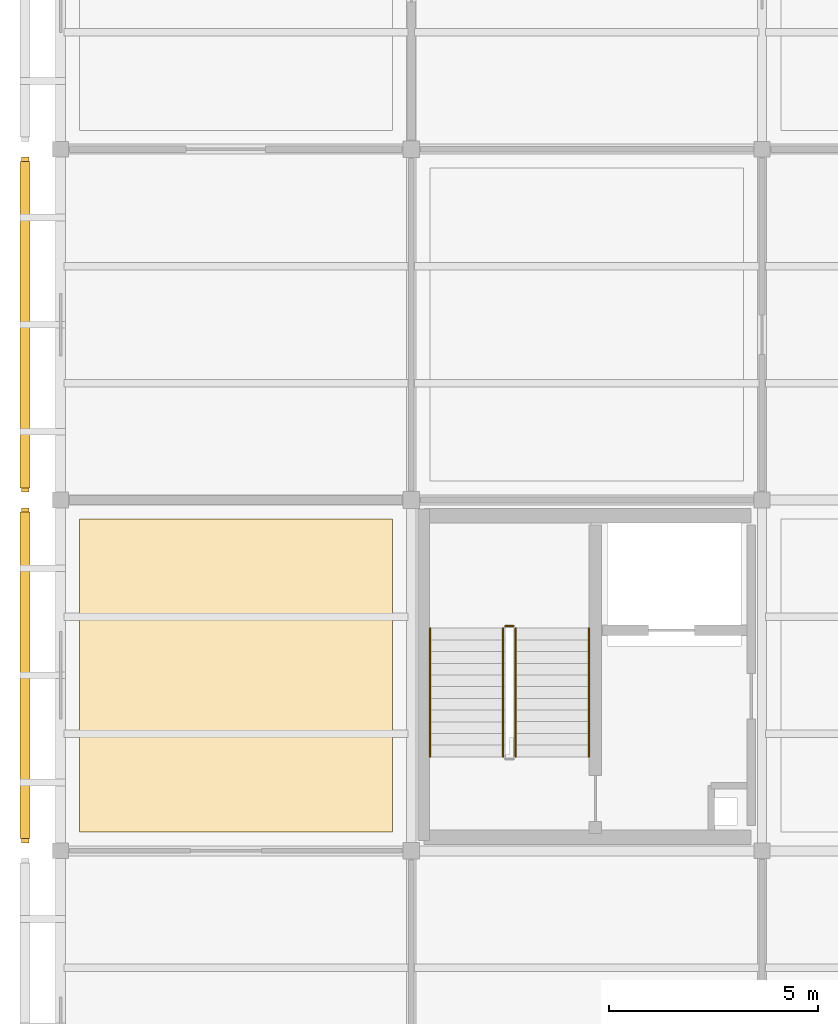
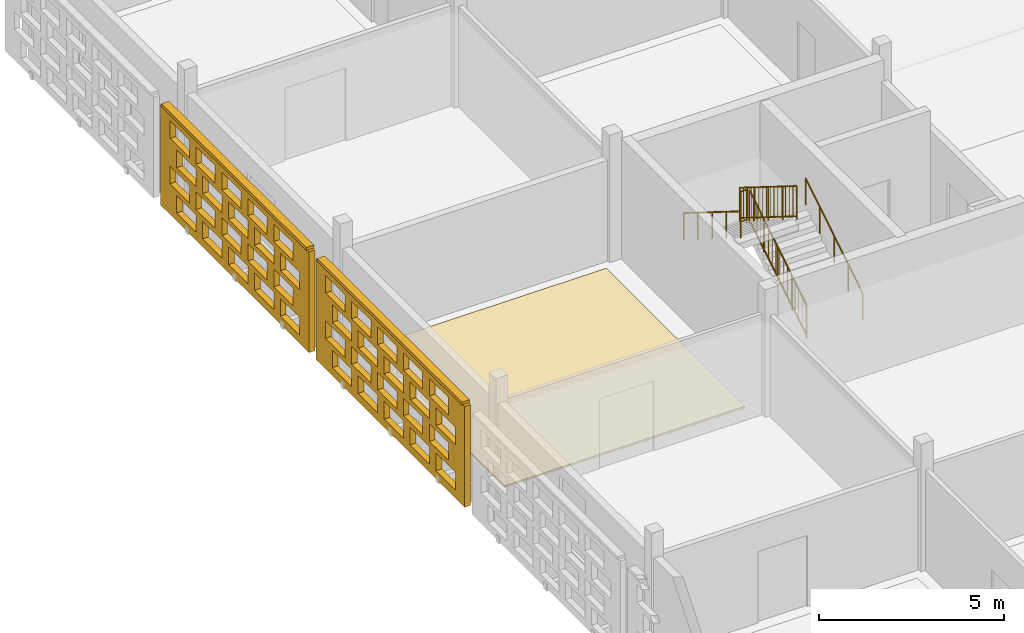
# One storey, part 28 of 31: 5 railings, 3 coverings, 2 shading devices, 40 openings.
"""IFC4 building model written with IfcOpenShell, lengths in metres."""

from ifc_helpers import new_model, si_unit, direction, frame, frame_2d, origin, origin_2d, place, context, subcontext, project, spatial, rectangle, circle, extrude, material, layer, layer_set, type_object, element, save


model = new_model("IFC4")

# Units and contexts
model_context = context("Model", 3, precision=1e-05, world=origin(), true_north=direction((0.0, 1.0)))
body_context = subcontext(model_context, "Body", "Model", "MODEL_VIEW")
ifc_project = project(units=[si_unit("LENGTHUNIT", "METRE"), si_unit("AREAUNIT", "SQUARE_METRE"), si_unit("VOLUMEUNIT", "CUBIC_METRE"), si_unit("PLANEANGLEUNIT", "RADIAN"), si_unit("MASSUNIT", "GRAM", prefix="KILO")], contexts=[model_context])

# Site, building, storey
site_placement = place(None, origin())
site = spatial("IfcSite", under=ifc_project, at=site_placement, CompositionType="ELEMENT")
building_placement = place(site_placement, origin())
building = spatial("IfcBuilding", under=site, at=building_placement, Name="Varnapada Polytechnic", CompositionType="ELEMENT")
storey_placement = place(building_placement, frame((0.0, 0.0, 22.199951171875)))
storey = spatial("IfcBuildingStorey", under=building, at=storey_placement, Name="L05", CompositionType="ELEMENT", Elevation=22.199951171875)

# Covering
ifc_material_1 = material(Name="Anti-Static Raised Laboratory Flooring")
ifc_layer_1 = layer(ifc_material_1, 0.06005859375)
ifc_layer_set_1 = layer_set([ifc_layer_1], Name="Anti-Static Raised Laboratory Flooring")
covering_type_1 = type_object("IfcCoveringType", Name="Floor Finish FLR-02", PredefinedType="FLOORING", material=ifc_layer_set_1)
covering_1_placement = place(storey_placement, frame((4.199951171875, 105.0, 0.0), z_axis=(0.0, 0.0, 1.0), x_axis=(1.0, 0.0, 0.0)))
element("IfcCovering", 1, at=covering_1_placement, inside=storey, type_object=covering_type_1, Name="L05 floor finish panel (1,13)", PredefinedType="FLOORING", context=body_context, shape_type="SweptSolid", body=[
    extrude(rectangle(XDim=7.5, YDim=7.5, at=origin_2d()), origin(), (0.0, 0.0, 1.0), 0.06005859375),
])

# Railings
ifc_material_2 = material(Name="Brushed Stainless Steel 316", Category="steel")
railing_type_1 = type_object("IfcRailingType", Name="Stair Wall Handrail SHR-01", PredefinedType="HANDRAIL", material=ifc_material_2)
railing_1_placement = place(storey_placement, frame((12.64990234375, 103.050048828125, 0.175048828125)))
element("IfcRailing", 2, at=railing_1_placement, inside=storey, type_object=railing_type_1, Name="L05 ST-1 stair handrail 1", PredefinedType="HANDRAIL", context=body_context, shape_type="SweptSolid", body=[
    extrude(circle(Radius=0.02392578125, at=origin_2d()), frame((0.0, 0.0, 0.8759765625), z_axis=(0.0, 0.847979421464, 0.530029150871), x_axis=(-1.0, 0.0, 0.0)), (0.0, 0.0, 1.0), 3.632080078125),
    extrude(circle(Radius=0.02099609375, at=origin_2d()), origin(), (0.0, 0.0, 1.0), 0.851806640625),
    extrude(circle(Radius=0.02099609375, at=origin_2d()), frame((0.0, 0.77001953125, 0.481201171875)), (0.0, 0.0, 1.0), 0.851806640625),
    extrude(circle(Radius=0.02099609375, at=origin_2d()), frame((0.0, 1.5400390625, 0.96240234375)), (0.0, 0.0, 1.0), 0.851806640625),
    extrude(circle(Radius=0.02099609375, at=origin_2d()), frame((0.0, 2.309814453125, 1.44384765625)), (0.0, 0.0, 1.0), 0.851806640625),
    extrude(circle(Radius=0.02099609375, at=origin_2d()), frame((0.0, 3.079833984375, 1.925048828125)), (0.0, 0.0, 1.0), 0.851806640625),
])
railing_2_placement = place(storey_placement, frame((8.85009765625, 106.1298828125, 2.275146484375)))
element("IfcRailing", 3, at=railing_2_placement, inside=storey, type_object=railing_type_1, Name="L05 ST-1 stair handrail 2", PredefinedType="HANDRAIL", context=body_context, shape_type="SweptSolid", body=[
    extrude(circle(Radius=0.02392578125, at=origin_2d()), frame((0.0, 0.0, 0.8759765625), z_axis=(0.0, -0.848009633417, 0.529980812513), x_axis=(1.0, 0.0, 0.0)), (0.0, 0.0, 1.0), 3.6318359375),
    extrude(circle(Radius=0.02099609375, at=origin_2d()), origin(), (0.0, 0.0, 1.0), 0.851806640625),
    extrude(circle(Radius=0.02099609375, at=origin_2d()), frame((0.0, -0.77001953125, 0.481201171875)), (0.0, 0.0, 1.0), 0.851806640625),
    extrude(circle(Radius=0.02099609375, at=origin_2d()), frame((0.0, -1.5400390625, 0.96240234375)), (0.0, 0.0, 1.0), 0.851806640625),
    extrude(circle(Radius=0.02099609375, at=origin_2d()), frame((0.0, -2.309814453125, 1.443603515625)), (0.0, 0.0, 1.0), 0.851806640625),
    extrude(circle(Radius=0.02099609375, at=origin_2d()), frame((0.0, -3.079833984375, 1.9248046875)), (0.0, 0.0, 1.0), 0.851806640625),
])
railing_type_2 = type_object("IfcRailingType", Name="Stair Well Guard Rail SGR-01", PredefinedType="BALUSTRADE", material=ifc_material_2)
railing_3_placement = place(storey_placement, frame((10.89990234375, 103.050048828125, 0.175048828125)))
element("IfcRailing", 4, at=railing_3_placement, inside=storey, type_object=railing_type_2, Name="L05 ST-1 stair guard 1", PredefinedType="BALUSTRADE", context=body_context, shape_type="SweptSolid", body=[
    extrude(circle(Radius=0.02392578125, at=origin_2d()), frame((0.0, 0.0, 1.09619140625), z_axis=(0.0, 0.847979421464, 0.530029150871), x_axis=(-1.0, 0.0, 0.0)), (0.0, 0.0, 1.0), 3.632080078125),
    extrude(circle(Radius=0.02392578125, at=origin_2d()), frame((0.0, 0.0, 0.10009765625), z_axis=(0.0, 0.847979421464, 0.530029150871), x_axis=(-1.0, 0.0, 0.0)), (0.0, 0.0, 1.0), 3.632080078125),
    extrude(circle(Radius=0.02099609375, at=origin_2d()), origin(), (0.0, 0.0, 1.0), 1.072021484375),
    extrude(circle(Radius=0.02099609375, at=origin_2d()), frame((0.0, 0.77001953125, 0.481201171875)), (0.0, 0.0, 1.0), 1.072021484375),
    extrude(circle(Radius=0.02099609375, at=origin_2d()), frame((0.0, 1.5400390625, 0.96240234375)), (0.0, 0.0, 1.0), 1.072021484375),
    extrude(circle(Radius=0.02099609375, at=origin_2d()), frame((0.0, 2.309814453125, 1.44384765625)), (0.0, 0.0, 1.0), 1.072021484375),
    extrude(circle(Radius=0.02099609375, at=origin_2d()), frame((0.0, 3.079833984375, 1.925048828125)), (0.0, 0.0, 1.0), 1.072021484375),
    extrude(circle(Radius=0.010009765625, at=origin_2d()), frame((0.0, 0.205322265625, 0.228515625)), (0.0, 0.0, 1.0), 0.971923828125),
    extrude(circle(Radius=0.010009765625, at=origin_2d()), frame((0.0, 0.41064453125, 0.356689453125)), (0.0, 0.0, 1.0), 0.971923828125),
    extrude(circle(Radius=0.010009765625, at=origin_2d()), frame((0.0, 0.615966796875, 0.485107421875)), (0.0, 0.0, 1.0), 0.971923828125),
    extrude(circle(Radius=0.010009765625, at=origin_2d()), frame((0.0, 0.8212890625, 0.613525390625)), (0.0, 0.0, 1.0), 0.971923828125),
    extrude(circle(Radius=0.010009765625, at=origin_2d()), frame((0.0, 1.026611328125, 0.74169921875)), (0.0, 0.0, 1.0), 0.971923828125),
    extrude(circle(Radius=0.010009765625, at=origin_2d()), frame((0.0, 1.23193359375, 0.8701171875)), (0.0, 0.0, 1.0), 0.971923828125),
    extrude(circle(Radius=0.010009765625, at=origin_2d()), frame((0.0, 1.437255859375, 0.99853515625)), (0.0, 0.0, 1.0), 0.971923828125),
    extrude(circle(Radius=0.010009765625, at=origin_2d()), frame((0.0, 1.642578125, 1.126708984375)), (0.0, 0.0, 1.0), 0.971923828125),
    extrude(circle(Radius=0.010009765625, at=origin_2d()), frame((0.0, 1.847900390625, 1.255126953125)), (0.0, 0.0, 1.0), 0.971923828125),
    extrude(circle(Radius=0.010009765625, at=origin_2d()), frame((0.0, 2.05322265625, 1.383544921875)), (0.0, 0.0, 1.0), 0.971923828125),
    extrude(circle(Radius=0.010009765625, at=origin_2d()), frame((0.0, 2.258544921875, 1.51171875)), (0.0, 0.0, 1.0), 0.971923828125),
    extrude(circle(Radius=0.010009765625, at=origin_2d()), frame((0.0, 2.4638671875, 1.64013671875)), (0.0, 0.0, 1.0), 0.971923828125),
    extrude(circle(Radius=0.010009765625, at=origin_2d()), frame((0.0, 2.669189453125, 1.7685546875)), (0.0, 0.0, 1.0), 0.971923828125),
    extrude(circle(Radius=0.010009765625, at=origin_2d()), frame((0.0, 2.87451171875, 1.896728515625)), (0.0, 0.0, 1.0), 0.971923828125),
])
railing_4_placement = place(storey_placement, frame((10.85009765625, 106.179931640625, 2.10009765625)))
element("IfcRailing", 5, at=railing_4_placement, inside=storey, type_object=railing_type_2, Name="L05 ST-1 stair guard 2", PredefinedType="BALUSTRADE", context=body_context, shape_type="SweptSolid", body=[
    extrude(circle(Radius=0.02392578125, at=origin_2d()), frame((0.0, 0.0, 1.09619140625), z_axis=(-1.0, 0.0, 0.0), x_axis=(0.0, -1.0, 0.0)), (0.0, 0.0, 1.0), 0.2001953125),
    extrude(circle(Radius=0.02392578125, at=origin_2d()), frame((0.0, 0.0, 0.10009765625), z_axis=(-1.0, 0.0, 0.0), x_axis=(0.0, -1.0, 0.0)), (0.0, 0.0, 1.0), 0.2001953125),
    extrude(circle(Radius=0.02099609375, at=origin_2d()), origin(), (0.0, 0.0, 1.0), 1.072021484375),
    extrude(circle(Radius=0.02099609375, at=origin_2d()), frame((-0.2001953125, 0.0, 0.0)), (0.0, 0.0, 1.0), 1.072021484375),
])
railing_5_placement = place(storey_placement, frame((10.60009765625, 106.1298828125, 2.275146484375)))
element("IfcRailing", 6, at=railing_5_placement, inside=storey, type_object=railing_type_2, Name="L05 ST-1 stair guard 3", PredefinedType="BALUSTRADE", context=body_context, shape_type="SweptSolid", body=[
    extrude(circle(Radius=0.02392578125, at=origin_2d()), frame((0.0, 0.0, 1.09619140625), z_axis=(0.0, -0.848009633417, 0.529980812513), x_axis=(1.0, 0.0, 0.0)), (0.0, 0.0, 1.0), 3.6318359375),
    extrude(circle(Radius=0.02392578125, at=origin_2d()), frame((0.0, 0.0, 0.10009765625), z_axis=(0.0, -0.848009633417, 0.529980812513), x_axis=(1.0, 0.0, 0.0)), (0.0, 0.0, 1.0), 3.6318359375),
    extrude(circle(Radius=0.02099609375, at=origin_2d()), origin(), (0.0, 0.0, 1.0), 1.072021484375),
    extrude(circle(Radius=0.02099609375, at=origin_2d()), frame((0.0, -0.77001953125, 0.481201171875)), (0.0, 0.0, 1.0), 1.072021484375),
    extrude(circle(Radius=0.02099609375, at=origin_2d()), frame((0.0, -1.5400390625, 0.96240234375)), (0.0, 0.0, 1.0), 1.072021484375),
    extrude(circle(Radius=0.02099609375, at=origin_2d()), frame((0.0, -2.309814453125, 1.443603515625)), (0.0, 0.0, 1.0), 1.072021484375),
    extrude(circle(Radius=0.02099609375, at=origin_2d()), frame((0.0, -3.079833984375, 1.9248046875)), (0.0, 0.0, 1.0), 1.072021484375),
    extrude(circle(Radius=0.010009765625, at=origin_2d()), frame((0.0, -0.205322265625, 0.228515625)), (0.0, 0.0, 1.0), 0.971923828125),
    extrude(circle(Radius=0.010009765625, at=origin_2d()), frame((0.0, -0.41064453125, 0.356689453125)), (0.0, 0.0, 1.0), 0.971923828125),
    extrude(circle(Radius=0.010009765625, at=origin_2d()), frame((0.0, -0.615966796875, 0.485107421875)), (0.0, 0.0, 1.0), 0.971923828125),
    extrude(circle(Radius=0.010009765625, at=origin_2d()), frame((0.0, -0.8212890625, 0.61328125)), (0.0, 0.0, 1.0), 0.971923828125),
    extrude(circle(Radius=0.010009765625, at=origin_2d()), frame((0.0, -1.026611328125, 0.74169921875)), (0.0, 0.0, 1.0), 0.971923828125),
    extrude(circle(Radius=0.010009765625, at=origin_2d()), frame((0.0, -1.23193359375, 0.8701171875)), (0.0, 0.0, 1.0), 0.971923828125),
    extrude(circle(Radius=0.010009765625, at=origin_2d()), frame((0.0, -1.437255859375, 0.998291015625)), (0.0, 0.0, 1.0), 0.971923828125),
    extrude(circle(Radius=0.010009765625, at=origin_2d()), frame((0.0, -1.642578125, 1.126708984375)), (0.0, 0.0, 1.0), 0.971923828125),
    extrude(circle(Radius=0.010009765625, at=origin_2d()), frame((0.0, -1.847900390625, 1.2548828125)), (0.0, 0.0, 1.0), 0.971923828125),
    extrude(circle(Radius=0.010009765625, at=origin_2d()), frame((0.0, -2.05322265625, 1.38330078125)), (0.0, 0.0, 1.0), 0.971923828125),
    extrude(circle(Radius=0.010009765625, at=origin_2d()), frame((0.0, -2.258544921875, 1.51171875)), (0.0, 0.0, 1.0), 0.971923828125),
    extrude(circle(Radius=0.010009765625, at=origin_2d()), frame((0.0, -2.4638671875, 1.639892578125)), (0.0, 0.0, 1.0), 0.971923828125),
    extrude(circle(Radius=0.010009765625, at=origin_2d()), frame((0.0, -2.669189453125, 1.768310546875)), (0.0, 0.0, 1.0), 0.971923828125),
    extrude(circle(Radius=0.010009765625, at=origin_2d()), frame((0.0, -2.87451171875, 1.896484375)), (0.0, 0.0, 1.0), 0.971923828125),
])

# Covering, openings
ifc_material_3 = material(Name="Earth-toned architectural terracotta screen block", Category="masonry")
ifc_layer_2 = layer(ifc_material_3, 0.1201171875)
ifc_layer_set_2 = layer_set([ifc_layer_2], Name="Earth-toned architectural terracotta screen block")
covering_type_2 = type_object("IfcCoveringType", Name="Terracotta Screen Cladding CLD-01", PredefinedType="CLADDING", material=ifc_layer_set_2)
covering_2_placement = place(storey_placement, frame((-0.85009765625, 100.989990234375, 0.0), z_axis=(0.0, 0.0, 1.0), x_axis=(0.0, 1.0, 0.0)))
covering_2 = element("IfcCovering", 7, at=covering_2_placement, inside=storey, type_object=covering_type_2, Name="L05 perforated terracotta block screen (8)", PredefinedType="CLADDING", context=body_context, shape_type="SweptSolid", body=[
    extrude(rectangle(XDim=8.02001953125, YDim=0.179931640625, at=frame_2d((4.010009765625, 0.0))), origin(), (0.0, 0.0, 1.0), 3.320068359375),
])
opening_1_placement = place(covering_2_placement, frame((0.510009765625, 0.0, 0.265625)))
element("IfcOpeningElement", 8, at=opening_1_placement, cuts=covering_2, Name="Screen perforation TBS-L05-007.1", PredefinedType="OPENING", context=body_context, shape_type="SweptSolid", body=[
    extrude(rectangle(XDim=1.0400390625, YDim=0.5810546875, at=frame_2d((0.52001953125, 0.29052734375))), frame((0.0, 0.099853515625, 0.0), z_axis=(0.0, -1.0, 0.0), x_axis=(1.0, 0.0, 0.0)), (0.0, 0.0, 1.0), 0.199951171875),
])
opening_2_placement = place(covering_2_placement, frame((1.909912109375, 0.0, 0.265625)))
element("IfcOpeningElement", 9, at=opening_2_placement, cuts=covering_2, Name="Screen perforation TBS-L05-007.2", PredefinedType="OPENING", context=body_context, shape_type="SweptSolid", body=[
    extrude(rectangle(XDim=1.0400390625, YDim=0.5810546875, at=frame_2d((0.52001953125, 0.29052734375))), frame((0.0, 0.099853515625, 0.0), z_axis=(0.0, -1.0, 0.0), x_axis=(1.0, 0.0, 0.0)), (0.0, 0.0, 1.0), 0.199951171875),
])
opening_3_placement = place(covering_2_placement, frame((3.31005859375, 0.0, 0.265625)))
element("IfcOpeningElement", 10, at=opening_3_placement, cuts=covering_2, Name="Screen perforation TBS-L05-007.3", PredefinedType="OPENING", context=body_context, shape_type="SweptSolid", body=[
    extrude(rectangle(XDim=1.0400390625, YDim=0.5810546875, at=frame_2d((0.52001953125, 0.29052734375))), frame((0.0, 0.099853515625, 0.0), z_axis=(0.0, -1.0, 0.0), x_axis=(1.0, 0.0, 0.0)), (0.0, 0.0, 1.0), 0.199951171875),
])
opening_4_placement = place(covering_2_placement, frame((4.7099609375, 0.0, 0.265625)))
element("IfcOpeningElement", 11, at=opening_4_placement, cuts=covering_2, Name="Screen perforation TBS-L05-007.4", PredefinedType="OPENING", context=body_context, shape_type="SweptSolid", body=[
    extrude(rectangle(XDim=1.0400390625, YDim=0.5810546875, at=frame_2d((0.52001953125, 0.29052734375))), frame((0.0, 0.099853515625, 0.0), z_axis=(0.0, -1.0, 0.0), x_axis=(1.0, 0.0, 0.0)), (0.0, 0.0, 1.0), 0.199951171875),
])
opening_5_placement = place(covering_2_placement, frame((6.110107421875, 0.0, 0.265625)))
element("IfcOpeningElement", 12, at=opening_5_placement, cuts=covering_2, Name="Screen perforation TBS-L05-007.5", PredefinedType="OPENING", context=body_context, shape_type="SweptSolid", body=[
    extrude(rectangle(XDim=1.0400390625, YDim=0.5810546875, at=frame_2d((0.52001953125, 0.29052734375))), frame((0.0, 0.099853515625, 0.0), z_axis=(0.0, -1.0, 0.0), x_axis=(1.0, 0.0, 0.0)), (0.0, 0.0, 1.0), 0.199951171875),
])
opening_6_placement = place(covering_2_placement, frame((0.8701171875, 0.0, 1.0126953125)))
element("IfcOpeningElement", 13, at=opening_6_placement, cuts=covering_2, Name="Screen perforation TBS-L05-007.6", PredefinedType="OPENING", context=body_context, shape_type="SweptSolid", body=[
    extrude(rectangle(XDim=1.0400390625, YDim=0.5810546875, at=frame_2d((0.52001953125, 0.29052734375))), frame((0.0, 0.099853515625, 0.0), z_axis=(0.0, -1.0, 0.0), x_axis=(1.0, 0.0, 0.0)), (0.0, 0.0, 1.0), 0.199951171875),
])
opening_7_placement = place(covering_2_placement, frame((2.27001953125, 0.0, 1.0126953125)))
element("IfcOpeningElement", 14, at=opening_7_placement, cuts=covering_2, Name="Screen perforation TBS-L05-007.7", PredefinedType="OPENING", context=body_context, shape_type="SweptSolid", body=[
    extrude(rectangle(XDim=1.0400390625, YDim=0.5810546875, at=frame_2d((0.52001953125, 0.29052734375))), frame((0.0, 0.099853515625, 0.0), z_axis=(0.0, -1.0, 0.0), x_axis=(1.0, 0.0, 0.0)), (0.0, 0.0, 1.0), 0.199951171875),
])
opening_8_placement = place(covering_2_placement, frame((3.669921875, 0.0, 1.0126953125)))
element("IfcOpeningElement", 15, at=opening_8_placement, cuts=covering_2, Name="Screen perforation TBS-L05-007.8", PredefinedType="OPENING", context=body_context, shape_type="SweptSolid", body=[
    extrude(rectangle(XDim=1.0400390625, YDim=0.5810546875, at=frame_2d((0.52001953125, 0.29052734375))), frame((0.0, 0.099853515625, 0.0), z_axis=(0.0, -1.0, 0.0), x_axis=(1.0, 0.0, 0.0)), (0.0, 0.0, 1.0), 0.199951171875),
])
opening_9_placement = place(covering_2_placement, frame((5.070068359375, 0.0, 1.0126953125)))
element("IfcOpeningElement", 16, at=opening_9_placement, cuts=covering_2, Name="Screen perforation TBS-L05-007.9", PredefinedType="OPENING", context=body_context, shape_type="SweptSolid", body=[
    extrude(rectangle(XDim=1.0400390625, YDim=0.5810546875, at=frame_2d((0.52001953125, 0.29052734375))), frame((0.0, 0.099853515625, 0.0), z_axis=(0.0, -1.0, 0.0), x_axis=(1.0, 0.0, 0.0)), (0.0, 0.0, 1.0), 0.199951171875),
])
opening_10_placement = place(covering_2_placement, frame((6.469970703125, 0.0, 1.0126953125)))
element("IfcOpeningElement", 17, at=opening_10_placement, cuts=covering_2, Name="Screen perforation TBS-L05-007.10", PredefinedType="OPENING", context=body_context, shape_type="SweptSolid", body=[
    extrude(rectangle(XDim=1.0400390625, YDim=0.5810546875, at=frame_2d((0.52001953125, 0.29052734375))), frame((0.0, 0.099853515625, 0.0), z_axis=(0.0, -1.0, 0.0), x_axis=(1.0, 0.0, 0.0)), (0.0, 0.0, 1.0), 0.199951171875),
])
opening_11_placement = place(covering_2_placement, frame((0.510009765625, 0.0, 1.759521484375)))
element("IfcOpeningElement", 18, at=opening_11_placement, cuts=covering_2, Name="Screen perforation TBS-L05-007.11", PredefinedType="OPENING", context=body_context, shape_type="SweptSolid", body=[
    extrude(rectangle(XDim=1.0400390625, YDim=0.5810546875, at=frame_2d((0.52001953125, 0.29052734375))), frame((0.0, 0.099853515625, 0.0), z_axis=(0.0, -1.0, 0.0), x_axis=(1.0, 0.0, 0.0)), (0.0, 0.0, 1.0), 0.199951171875),
])
opening_12_placement = place(covering_2_placement, frame((1.909912109375, 0.0, 1.759521484375)))
element("IfcOpeningElement", 19, at=opening_12_placement, cuts=covering_2, Name="Screen perforation TBS-L05-007.12", PredefinedType="OPENING", context=body_context, shape_type="SweptSolid", body=[
    extrude(rectangle(XDim=1.0400390625, YDim=0.5810546875, at=frame_2d((0.52001953125, 0.29052734375))), frame((0.0, 0.099853515625, 0.0), z_axis=(0.0, -1.0, 0.0), x_axis=(1.0, 0.0, 0.0)), (0.0, 0.0, 1.0), 0.199951171875),
])
opening_13_placement = place(covering_2_placement, frame((3.31005859375, 0.0, 1.759521484375)))
element("IfcOpeningElement", 20, at=opening_13_placement, cuts=covering_2, Name="Screen perforation TBS-L05-007.13", PredefinedType="OPENING", context=body_context, shape_type="SweptSolid", body=[
    extrude(rectangle(XDim=1.0400390625, YDim=0.5810546875, at=frame_2d((0.52001953125, 0.29052734375))), frame((0.0, 0.099853515625, 0.0), z_axis=(0.0, -1.0, 0.0), x_axis=(1.0, 0.0, 0.0)), (0.0, 0.0, 1.0), 0.199951171875),
])
opening_14_placement = place(covering_2_placement, frame((4.7099609375, 0.0, 1.759521484375)))
element("IfcOpeningElement", 21, at=opening_14_placement, cuts=covering_2, Name="Screen perforation TBS-L05-007.14", PredefinedType="OPENING", context=body_context, shape_type="SweptSolid", body=[
    extrude(rectangle(XDim=1.0400390625, YDim=0.5810546875, at=frame_2d((0.52001953125, 0.29052734375))), frame((0.0, 0.099853515625, 0.0), z_axis=(0.0, -1.0, 0.0), x_axis=(1.0, 0.0, 0.0)), (0.0, 0.0, 1.0), 0.199951171875),
])
opening_15_placement = place(covering_2_placement, frame((6.110107421875, 0.0, 1.759521484375)))
element("IfcOpeningElement", 22, at=opening_15_placement, cuts=covering_2, Name="Screen perforation TBS-L05-007.15", PredefinedType="OPENING", context=body_context, shape_type="SweptSolid", body=[
    extrude(rectangle(XDim=1.0400390625, YDim=0.5810546875, at=frame_2d((0.52001953125, 0.29052734375))), frame((0.0, 0.099853515625, 0.0), z_axis=(0.0, -1.0, 0.0), x_axis=(1.0, 0.0, 0.0)), (0.0, 0.0, 1.0), 0.199951171875),
])
opening_16_placement = place(covering_2_placement, frame((0.8701171875, 0.0, 2.506591796875)))
element("IfcOpeningElement", 23, at=opening_16_placement, cuts=covering_2, Name="Screen perforation TBS-L05-007.16", PredefinedType="OPENING", context=body_context, shape_type="SweptSolid", body=[
    extrude(rectangle(XDim=1.0400390625, YDim=0.5810546875, at=frame_2d((0.52001953125, 0.29052734375))), frame((0.0, 0.099853515625, 0.0), z_axis=(0.0, -1.0, 0.0), x_axis=(1.0, 0.0, 0.0)), (0.0, 0.0, 1.0), 0.199951171875),
])
opening_17_placement = place(covering_2_placement, frame((2.27001953125, 0.0, 2.506591796875)))
element("IfcOpeningElement", 24, at=opening_17_placement, cuts=covering_2, Name="Screen perforation TBS-L05-007.17", PredefinedType="OPENING", context=body_context, shape_type="SweptSolid", body=[
    extrude(rectangle(XDim=1.0400390625, YDim=0.5810546875, at=frame_2d((0.52001953125, 0.29052734375))), frame((0.0, 0.099853515625, 0.0), z_axis=(0.0, -1.0, 0.0), x_axis=(1.0, 0.0, 0.0)), (0.0, 0.0, 1.0), 0.199951171875),
])
opening_18_placement = place(covering_2_placement, frame((3.669921875, 0.0, 2.506591796875)))
element("IfcOpeningElement", 25, at=opening_18_placement, cuts=covering_2, Name="Screen perforation TBS-L05-007.18", PredefinedType="OPENING", context=body_context, shape_type="SweptSolid", body=[
    extrude(rectangle(XDim=1.0400390625, YDim=0.5810546875, at=frame_2d((0.52001953125, 0.29052734375))), frame((0.0, 0.099853515625, 0.0), z_axis=(0.0, -1.0, 0.0), x_axis=(1.0, 0.0, 0.0)), (0.0, 0.0, 1.0), 0.199951171875),
])
opening_19_placement = place(covering_2_placement, frame((5.070068359375, 0.0, 2.506591796875)))
element("IfcOpeningElement", 26, at=opening_19_placement, cuts=covering_2, Name="Screen perforation TBS-L05-007.19", PredefinedType="OPENING", context=body_context, shape_type="SweptSolid", body=[
    extrude(rectangle(XDim=1.0400390625, YDim=0.5810546875, at=frame_2d((0.52001953125, 0.29052734375))), frame((0.0, 0.099853515625, 0.0), z_axis=(0.0, -1.0, 0.0), x_axis=(1.0, 0.0, 0.0)), (0.0, 0.0, 1.0), 0.199951171875),
])
opening_20_placement = place(covering_2_placement, frame((6.469970703125, 0.0, 2.506591796875)))
element("IfcOpeningElement", 27, at=opening_20_placement, cuts=covering_2, Name="Screen perforation TBS-L05-007.20", PredefinedType="OPENING", context=body_context, shape_type="SweptSolid", body=[
    extrude(rectangle(XDim=1.0400390625, YDim=0.5810546875, at=frame_2d((0.52001953125, 0.29052734375))), frame((0.0, 0.099853515625, 0.0), z_axis=(0.0, -1.0, 0.0), x_axis=(1.0, 0.0, 0.0)), (0.0, 0.0, 1.0), 0.199951171875),
])

covering_3_placement = place(storey_placement, frame((-0.85009765625, 109.389892578125, 0.0), z_axis=(0.0, 0.0, 1.0), x_axis=(0.0, 1.0, 0.0)))
covering_3 = element("IfcCovering", 28, at=covering_3_placement, inside=storey, type_object=covering_type_2, Name="L05 perforated terracotta block screen (9)", PredefinedType="CLADDING", context=body_context, shape_type="SweptSolid", body=[
    extrude(rectangle(XDim=8.02001953125, YDim=0.179931640625, at=frame_2d((4.010009765625, 0.0))), origin(), (0.0, 0.0, 1.0), 3.320068359375),
])
opening_21_placement = place(covering_3_placement, frame((0.510009765625, 0.0, 0.265625)))
element("IfcOpeningElement", 29, at=opening_21_placement, cuts=covering_3, Name="Screen perforation TBS-L05-008.1", PredefinedType="OPENING", context=body_context, shape_type="SweptSolid", body=[
    extrude(rectangle(XDim=1.0400390625, YDim=0.5810546875, at=frame_2d((0.52001953125, 0.29052734375))), frame((0.0, 0.099853515625, 0.0), z_axis=(0.0, -1.0, 0.0), x_axis=(1.0, 0.0, 0.0)), (0.0, 0.0, 1.0), 0.199951171875),
])
opening_22_placement = place(covering_3_placement, frame((1.909912109375, 0.0, 0.265625)))
element("IfcOpeningElement", 30, at=opening_22_placement, cuts=covering_3, Name="Screen perforation TBS-L05-008.2", PredefinedType="OPENING", context=body_context, shape_type="SweptSolid", body=[
    extrude(rectangle(XDim=1.0400390625, YDim=0.5810546875, at=frame_2d((0.52001953125, 0.29052734375))), frame((0.0, 0.099853515625, 0.0), z_axis=(0.0, -1.0, 0.0), x_axis=(1.0, 0.0, 0.0)), (0.0, 0.0, 1.0), 0.199951171875),
])
opening_23_placement = place(covering_3_placement, frame((3.31005859375, 0.0, 0.265625)))
element("IfcOpeningElement", 31, at=opening_23_placement, cuts=covering_3, Name="Screen perforation TBS-L05-008.3", PredefinedType="OPENING", context=body_context, shape_type="SweptSolid", body=[
    extrude(rectangle(XDim=1.0400390625, YDim=0.5810546875, at=frame_2d((0.52001953125, 0.29052734375))), frame((0.0, 0.099853515625, 0.0), z_axis=(0.0, -1.0, 0.0), x_axis=(1.0, 0.0, 0.0)), (0.0, 0.0, 1.0), 0.199951171875),
])
opening_24_placement = place(covering_3_placement, frame((4.7099609375, 0.0, 0.265625)))
element("IfcOpeningElement", 32, at=opening_24_placement, cuts=covering_3, Name="Screen perforation TBS-L05-008.4", PredefinedType="OPENING", context=body_context, shape_type="SweptSolid", body=[
    extrude(rectangle(XDim=1.0400390625, YDim=0.5810546875, at=frame_2d((0.52001953125, 0.29052734375))), frame((0.0, 0.099853515625, 0.0), z_axis=(0.0, -1.0, 0.0), x_axis=(1.0, 0.0, 0.0)), (0.0, 0.0, 1.0), 0.199951171875),
])
opening_25_placement = place(covering_3_placement, frame((6.110107421875, 0.0, 0.265625)))
element("IfcOpeningElement", 33, at=opening_25_placement, cuts=covering_3, Name="Screen perforation TBS-L05-008.5", PredefinedType="OPENING", context=body_context, shape_type="SweptSolid", body=[
    extrude(rectangle(XDim=1.0400390625, YDim=0.5810546875, at=frame_2d((0.52001953125, 0.29052734375))), frame((0.0, 0.099853515625, 0.0), z_axis=(0.0, -1.0, 0.0), x_axis=(1.0, 0.0, 0.0)), (0.0, 0.0, 1.0), 0.199951171875),
])
opening_26_placement = place(covering_3_placement, frame((0.8701171875, 0.0, 1.0126953125)))
element("IfcOpeningElement", 34, at=opening_26_placement, cuts=covering_3, Name="Screen perforation TBS-L05-008.6", PredefinedType="OPENING", context=body_context, shape_type="SweptSolid", body=[
    extrude(rectangle(XDim=1.0400390625, YDim=0.5810546875, at=frame_2d((0.52001953125, 0.29052734375))), frame((0.0, 0.099853515625, 0.0), z_axis=(0.0, -1.0, 0.0), x_axis=(1.0, 0.0, 0.0)), (0.0, 0.0, 1.0), 0.199951171875),
])
opening_27_placement = place(covering_3_placement, frame((2.27001953125, 0.0, 1.0126953125)))
element("IfcOpeningElement", 35, at=opening_27_placement, cuts=covering_3, Name="Screen perforation TBS-L05-008.7", PredefinedType="OPENING", context=body_context, shape_type="SweptSolid", body=[
    extrude(rectangle(XDim=1.0400390625, YDim=0.5810546875, at=frame_2d((0.52001953125, 0.29052734375))), frame((0.0, 0.099853515625, 0.0), z_axis=(0.0, -1.0, 0.0), x_axis=(1.0, 0.0, 0.0)), (0.0, 0.0, 1.0), 0.199951171875),
])
opening_28_placement = place(covering_3_placement, frame((3.669921875, 0.0, 1.0126953125)))
element("IfcOpeningElement", 36, at=opening_28_placement, cuts=covering_3, Name="Screen perforation TBS-L05-008.8", PredefinedType="OPENING", context=body_context, shape_type="SweptSolid", body=[
    extrude(rectangle(XDim=1.0400390625, YDim=0.5810546875, at=frame_2d((0.52001953125, 0.29052734375))), frame((0.0, 0.099853515625, 0.0), z_axis=(0.0, -1.0, 0.0), x_axis=(1.0, 0.0, 0.0)), (0.0, 0.0, 1.0), 0.199951171875),
])
opening_29_placement = place(covering_3_placement, frame((5.070068359375, 0.0, 1.0126953125)))
element("IfcOpeningElement", 37, at=opening_29_placement, cuts=covering_3, Name="Screen perforation TBS-L05-008.9", PredefinedType="OPENING", context=body_context, shape_type="SweptSolid", body=[
    extrude(rectangle(XDim=1.0400390625, YDim=0.5810546875, at=frame_2d((0.52001953125, 0.29052734375))), frame((0.0, 0.099853515625, 0.0), z_axis=(0.0, -1.0, 0.0), x_axis=(1.0, 0.0, 0.0)), (0.0, 0.0, 1.0), 0.199951171875),
])
opening_30_placement = place(covering_3_placement, frame((6.469970703125, 0.0, 1.0126953125)))
element("IfcOpeningElement", 38, at=opening_30_placement, cuts=covering_3, Name="Screen perforation TBS-L05-008.10", PredefinedType="OPENING", context=body_context, shape_type="SweptSolid", body=[
    extrude(rectangle(XDim=1.0400390625, YDim=0.5810546875, at=frame_2d((0.52001953125, 0.29052734375))), frame((0.0, 0.099853515625, 0.0), z_axis=(0.0, -1.0, 0.0), x_axis=(1.0, 0.0, 0.0)), (0.0, 0.0, 1.0), 0.199951171875),
])
opening_31_placement = place(covering_3_placement, frame((0.510009765625, 0.0, 1.759521484375)))
element("IfcOpeningElement", 39, at=opening_31_placement, cuts=covering_3, Name="Screen perforation TBS-L05-008.11", PredefinedType="OPENING", context=body_context, shape_type="SweptSolid", body=[
    extrude(rectangle(XDim=1.0400390625, YDim=0.5810546875, at=frame_2d((0.52001953125, 0.29052734375))), frame((0.0, 0.099853515625, 0.0), z_axis=(0.0, -1.0, 0.0), x_axis=(1.0, 0.0, 0.0)), (0.0, 0.0, 1.0), 0.199951171875),
])
opening_32_placement = place(covering_3_placement, frame((1.909912109375, 0.0, 1.759521484375)))
element("IfcOpeningElement", 40, at=opening_32_placement, cuts=covering_3, Name="Screen perforation TBS-L05-008.12", PredefinedType="OPENING", context=body_context, shape_type="SweptSolid", body=[
    extrude(rectangle(XDim=1.0400390625, YDim=0.5810546875, at=frame_2d((0.52001953125, 0.29052734375))), frame((0.0, 0.099853515625, 0.0), z_axis=(0.0, -1.0, 0.0), x_axis=(1.0, 0.0, 0.0)), (0.0, 0.0, 1.0), 0.199951171875),
])
opening_33_placement = place(covering_3_placement, frame((3.31005859375, 0.0, 1.759521484375)))
element("IfcOpeningElement", 41, at=opening_33_placement, cuts=covering_3, Name="Screen perforation TBS-L05-008.13", PredefinedType="OPENING", context=body_context, shape_type="SweptSolid", body=[
    extrude(rectangle(XDim=1.0400390625, YDim=0.5810546875, at=frame_2d((0.52001953125, 0.29052734375))), frame((0.0, 0.099853515625, 0.0), z_axis=(0.0, -1.0, 0.0), x_axis=(1.0, 0.0, 0.0)), (0.0, 0.0, 1.0), 0.199951171875),
])
opening_34_placement = place(covering_3_placement, frame((4.7099609375, 0.0, 1.759521484375)))
element("IfcOpeningElement", 42, at=opening_34_placement, cuts=covering_3, Name="Screen perforation TBS-L05-008.14", PredefinedType="OPENING", context=body_context, shape_type="SweptSolid", body=[
    extrude(rectangle(XDim=1.0400390625, YDim=0.5810546875, at=frame_2d((0.52001953125, 0.29052734375))), frame((0.0, 0.099853515625, 0.0), z_axis=(0.0, -1.0, 0.0), x_axis=(1.0, 0.0, 0.0)), (0.0, 0.0, 1.0), 0.199951171875),
])
opening_35_placement = place(covering_3_placement, frame((6.110107421875, 0.0, 1.759521484375)))
element("IfcOpeningElement", 43, at=opening_35_placement, cuts=covering_3, Name="Screen perforation TBS-L05-008.15", PredefinedType="OPENING", context=body_context, shape_type="SweptSolid", body=[
    extrude(rectangle(XDim=1.0400390625, YDim=0.5810546875, at=frame_2d((0.52001953125, 0.29052734375))), frame((0.0, 0.099853515625, 0.0), z_axis=(0.0, -1.0, 0.0), x_axis=(1.0, 0.0, 0.0)), (0.0, 0.0, 1.0), 0.199951171875),
])
opening_36_placement = place(covering_3_placement, frame((0.8701171875, 0.0, 2.506591796875)))
element("IfcOpeningElement", 44, at=opening_36_placement, cuts=covering_3, Name="Screen perforation TBS-L05-008.16", PredefinedType="OPENING", context=body_context, shape_type="SweptSolid", body=[
    extrude(rectangle(XDim=1.0400390625, YDim=0.5810546875, at=frame_2d((0.52001953125, 0.29052734375))), frame((0.0, 0.099853515625, 0.0), z_axis=(0.0, -1.0, 0.0), x_axis=(1.0, 0.0, 0.0)), (0.0, 0.0, 1.0), 0.199951171875),
])
opening_37_placement = place(covering_3_placement, frame((2.27001953125, 0.0, 2.506591796875)))
element("IfcOpeningElement", 45, at=opening_37_placement, cuts=covering_3, Name="Screen perforation TBS-L05-008.17", PredefinedType="OPENING", context=body_context, shape_type="SweptSolid", body=[
    extrude(rectangle(XDim=1.0400390625, YDim=0.5810546875, at=frame_2d((0.52001953125, 0.29052734375))), frame((0.0, 0.099853515625, 0.0), z_axis=(0.0, -1.0, 0.0), x_axis=(1.0, 0.0, 0.0)), (0.0, 0.0, 1.0), 0.199951171875),
])
opening_38_placement = place(covering_3_placement, frame((3.669921875, 0.0, 2.506591796875)))
element("IfcOpeningElement", 46, at=opening_38_placement, cuts=covering_3, Name="Screen perforation TBS-L05-008.18", PredefinedType="OPENING", context=body_context, shape_type="SweptSolid", body=[
    extrude(rectangle(XDim=1.0400390625, YDim=0.5810546875, at=frame_2d((0.52001953125, 0.29052734375))), frame((0.0, 0.099853515625, 0.0), z_axis=(0.0, -1.0, 0.0), x_axis=(1.0, 0.0, 0.0)), (0.0, 0.0, 1.0), 0.199951171875),
])
opening_39_placement = place(covering_3_placement, frame((5.070068359375, 0.0, 2.506591796875)))
element("IfcOpeningElement", 47, at=opening_39_placement, cuts=covering_3, Name="Screen perforation TBS-L05-008.19", PredefinedType="OPENING", context=body_context, shape_type="SweptSolid", body=[
    extrude(rectangle(XDim=1.0400390625, YDim=0.5810546875, at=frame_2d((0.52001953125, 0.29052734375))), frame((0.0, 0.099853515625, 0.0), z_axis=(0.0, -1.0, 0.0), x_axis=(1.0, 0.0, 0.0)), (0.0, 0.0, 1.0), 0.199951171875),
])
opening_40_placement = place(covering_3_placement, frame((6.469970703125, 0.0, 2.506591796875)))
element("IfcOpeningElement", 48, at=opening_40_placement, cuts=covering_3, Name="Screen perforation TBS-L05-008.20", PredefinedType="OPENING", context=body_context, shape_type="SweptSolid", body=[
    extrude(rectangle(XDim=1.0400390625, YDim=0.5810546875, at=frame_2d((0.52001953125, 0.29052734375))), frame((0.0, 0.099853515625, 0.0), z_axis=(0.0, -1.0, 0.0), x_axis=(1.0, 0.0, 0.0)), (0.0, 0.0, 1.0), 0.199951171875),
])

# Shading devices
ifc_layer_3 = layer(ifc_material_3, 0.179931640625)
ifc_layer_set_3 = layer_set([ifc_layer_3], Name="Earth-toned architectural terracotta screen block")
shading_device_type = type_object("IfcShadingDeviceType", Name="Terracotta Screen SCR-01", PredefinedType="USERDEFINED", material=ifc_layer_set_3)
for number, where, z_axis, x_axis, name in (
    (49, (-0.85009765625, 105.0, 3.31005859375), (0.0, 0.0, 1.0), (0.0, 1.0, 0.0), "L05 perforated terracotta screen hood 483"),
    (50, (-0.85009765625, 113.39990234375, 3.31005859375), (0.0, 0.0, 1.0), (0.0, 1.0, 0.0), "L05 perforated terracotta screen hood 484"),
):
    element("IfcShadingDevice", number, at=place(storey_placement, frame(where, z_axis=z_axis, x_axis=x_axis)), inside=storey, type_object=shading_device_type, Name=name, ObjectType="SCREEN", PredefinedType="USERDEFINED", context=body_context, shape_type="SweptSolid", body=[
        extrude(rectangle(XDim=7.820068359375, YDim=0.239990234375, at=origin_2d()), origin(), (0.0, 0.0, 1.0), 0.10009765625),
    ])

save(model, "model.ifc")
